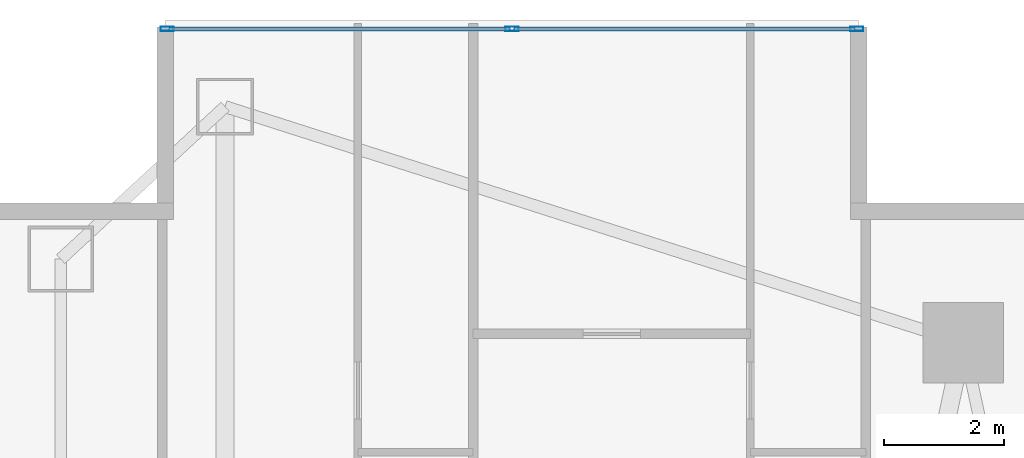
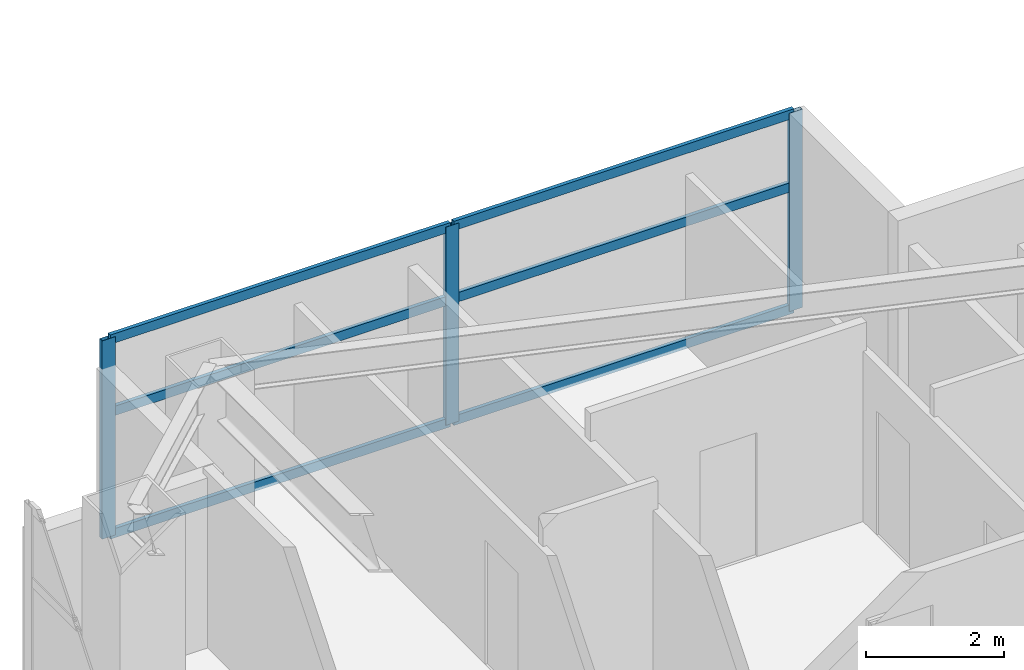
# One storey, part 18 of 28: 9 members, 1 element without a shape of its own.
"""IFC4 building model written with IfcOpenShell, lengths in metres."""

from ifc_helpers import new_model, si_unit, direction, frame, origin, origin_2d, place, context, subcontext, project, spatial, hollow_rectangle, extrude, material, layer, layer_set, material_profile, profile_set, type_object, element, aggregate, save


model = new_model("IFC4")

# Units and contexts
model_context = context("Model", 3, precision=1e-05, world=origin(), true_north=direction((0.0, 1.0)))
body_context = subcontext(model_context, "Body", "Model", "MODEL_VIEW")
ifc_project = project(units=[si_unit("LENGTHUNIT", "METRE"), si_unit("AREAUNIT", "SQUARE_METRE"), si_unit("VOLUMEUNIT", "CUBIC_METRE"), si_unit("PLANEANGLEUNIT", "RADIAN"), si_unit("MASSUNIT", "GRAM", prefix="KILO")], contexts=[model_context])

# Site, building, storey
site_placement = place(None, origin())
site = spatial("IfcSite", under=ifc_project, at=site_placement, CompositionType="ELEMENT")
building_placement = place(site_placement, origin())
building = spatial("IfcBuilding", under=site, at=building_placement, Name="Calvorn Quay Hotel", CompositionType="ELEMENT")
storey_placement = place(building_placement, frame((0.0, 0.0, 88.800048828125)))
storey = spatial("IfcBuildingStorey", under=building, at=storey_placement, Name="L21", CompositionType="ELEMENT", Elevation=88.800048828125)

# Curtain wall, members
ifc_material_1 = material(Name="Pale Anodised Aluminium and Low-E Glass", Category="aluminium")
ifc_layer = layer(ifc_material_1, 0.219970703125)
ifc_layer_set = layer_set([ifc_layer], Name="CW-SYS-Z1")
curtain_wall_type = type_object("IfcCurtainWallType", Name="CW-SYS-Z1", PredefinedType="NOTDEFINED", material=ifc_layer_set)
curtain_wall_placement = place(storey_placement, origin())
curtain_wall = element("IfcCurtainWall", 1, at=curtain_wall_placement, inside=storey, type_object=curtain_wall_type, Name="Inner Court Curtain Wall L21-N1", PredefinedType="NOTDEFINED")
ifc_material_2 = material(Name="Pale Anodised Aluminium 6063-T6", Category="aluminium")
ifc_material_profile_1 = material_profile(ifc_material_2, hollow_rectangle(XDim=0.074951171875, YDim=0.219970703125, WallThickness=0.00439453125, at=origin_2d()), Name="ALU-M220x75x4.5")
ifc_profile_set_1 = profile_set([ifc_material_profile_1], Name="Pale Anodised Aluminium 6063-T6")
member_type_1 = type_object("IfcMemberType", Name="CW-SYS-Z1-MUL", PredefinedType="MULLION", material=ifc_profile_set_1)
member_1_placement = place(storey_placement, frame((14.77001953125, 50.85009765625, 0.0), z_axis=(0.0, 0.0, 1.0), x_axis=(0.0, -1.0, 0.0)))
member_1 = element("IfcMember", 2, at=member_1_placement, type_object=member_type_1, Name="CW-L21-N1 mullion 1", PredefinedType="MULLION", context=body_context, shape_type="SweptSolid", body=[
    extrude(hollow_rectangle(XDim=0.074951171875, YDim=0.219970703125, WallThickness=0.00439453125, at=origin_2d()), origin(), (0.0, 0.0, 1.0), 3.52001953125),
])
member_2_placement = place(storey_placement, frame((9.0, 50.85009765625, 0.0), z_axis=(0.0, 0.0, 1.0), x_axis=(0.0, -1.0, 0.0)))
member_2 = element("IfcMember", 3, at=member_2_placement, type_object=member_type_1, Name="CW-L21-N1 mullion 2", PredefinedType="MULLION", context=body_context, shape_type="SweptSolid", body=[
    extrude(hollow_rectangle(XDim=0.074951171875, YDim=0.219970703125, WallThickness=0.00439453125, at=origin_2d()), origin(), (0.0, 0.0, 1.0), 3.52001953125),
])
member_3_placement = place(storey_placement, frame((3.22998046875, 50.85009765625, 0.0), z_axis=(0.0, 0.0, 1.0), x_axis=(0.0, -1.0, 0.0)))
member_3 = element("IfcMember", 4, at=member_3_placement, type_object=member_type_1, Name="CW-L21-N1 mullion 3", PredefinedType="MULLION", context=body_context, shape_type="SweptSolid", body=[
    extrude(hollow_rectangle(XDim=0.074951171875, YDim=0.219970703125, WallThickness=0.00439453125, at=origin_2d()), origin(), (0.0, 0.0, 1.0), 3.52001953125),
])
ifc_material_3 = material(Name="Pale Anodised Aluminium 6063-T6", Category="aluminium")
ifc_material_profile_2 = material_profile(ifc_material_3, hollow_rectangle(XDim=0.06494140625, YDim=0.1650390625, WallThickness=0.00341796875, at=origin_2d()), Name="ALU-T165x65x3.5")
ifc_profile_set_2 = profile_set([ifc_material_profile_2], Name="Pale Anodised Aluminium 6063-T6")
member_type_2 = type_object("IfcMemberType", Name="CW-SYS-Z1-TRN", PredefinedType="USERDEFINED", material=ifc_profile_set_2)
member_4_placement = place(storey_placement, frame((14.739990234375, 50.85009765625, 0.030029296875), z_axis=(-1.0, 0.0, 0.0), x_axis=(0.0, -1.0, 0.0)))
member_4 = element("IfcMember", 5, at=member_4_placement, type_object=member_type_2, Name="CW-L21-N1 transom 1.1", ObjectType="TRANSOM", PredefinedType="USERDEFINED", context=body_context, shape_type="SweptSolid", body=[
    extrude(hollow_rectangle(XDim=0.06494140625, YDim=0.1650390625, WallThickness=0.00341796875, at=origin_2d()), origin(), (0.0, 0.0, 1.0), 5.7099609375),
])
member_5_placement = place(storey_placement, frame((14.739990234375, 50.85009765625, 2.199951171875), z_axis=(-1.0, 0.0, 0.0), x_axis=(0.0, -1.0, 0.0)))
member_5 = element("IfcMember", 6, at=member_5_placement, type_object=member_type_2, Name="CW-L21-N1 transom 1.2", ObjectType="TRANSOM", PredefinedType="USERDEFINED", context=body_context, shape_type="SweptSolid", body=[
    extrude(hollow_rectangle(XDim=0.06494140625, YDim=0.1650390625, WallThickness=0.00341796875, at=origin_2d()), origin(), (0.0, 0.0, 1.0), 5.7099609375),
])
member_6_placement = place(storey_placement, frame((14.739990234375, 50.85009765625, 3.489990234375), z_axis=(-1.0, 0.0, 0.0), x_axis=(0.0, -1.0, 0.0)))
member_6 = element("IfcMember", 7, at=member_6_placement, type_object=member_type_2, Name="CW-L21-N1 transom 1.3", ObjectType="TRANSOM", PredefinedType="USERDEFINED", context=body_context, shape_type="SweptSolid", body=[
    extrude(hollow_rectangle(XDim=0.06494140625, YDim=0.1650390625, WallThickness=0.00341796875, at=origin_2d()), origin(), (0.0, 0.0, 1.0), 5.7099609375),
])
member_7_placement = place(storey_placement, frame((8.969970703125, 50.85009765625, 0.030029296875), z_axis=(-1.0, 0.0, 0.0), x_axis=(0.0, -1.0, 0.0)))
member_7 = element("IfcMember", 8, at=member_7_placement, type_object=member_type_2, Name="CW-L21-N1 transom 2.1", ObjectType="TRANSOM", PredefinedType="USERDEFINED", context=body_context, shape_type="SweptSolid", body=[
    extrude(hollow_rectangle(XDim=0.06494140625, YDim=0.1650390625, WallThickness=0.00341796875, at=origin_2d()), origin(), (0.0, 0.0, 1.0), 5.7099609375),
])
member_8_placement = place(storey_placement, frame((8.969970703125, 50.85009765625, 2.199951171875), z_axis=(-1.0, 0.0, 0.0), x_axis=(0.0, -1.0, 0.0)))
member_8 = element("IfcMember", 9, at=member_8_placement, type_object=member_type_2, Name="CW-L21-N1 transom 2.2", ObjectType="TRANSOM", PredefinedType="USERDEFINED", context=body_context, shape_type="SweptSolid", body=[
    extrude(hollow_rectangle(XDim=0.06494140625, YDim=0.1650390625, WallThickness=0.00341796875, at=origin_2d()), origin(), (0.0, 0.0, 1.0), 5.7099609375),
])
member_9_placement = place(storey_placement, frame((8.969970703125, 50.85009765625, 3.489990234375), z_axis=(-1.0, 0.0, 0.0), x_axis=(0.0, -1.0, 0.0)))
member_9 = element("IfcMember", 10, at=member_9_placement, type_object=member_type_2, Name="CW-L21-N1 transom 2.3", ObjectType="TRANSOM", PredefinedType="USERDEFINED", context=body_context, shape_type="SweptSolid", body=[
    extrude(hollow_rectangle(XDim=0.06494140625, YDim=0.1650390625, WallThickness=0.00341796875, at=origin_2d()), origin(), (0.0, 0.0, 1.0), 5.7099609375),
])
aggregate(curtain_wall, [member_1, member_2, member_3, member_4, member_5, member_6, member_7, member_8, member_9])

save(model, "model.ifc")
